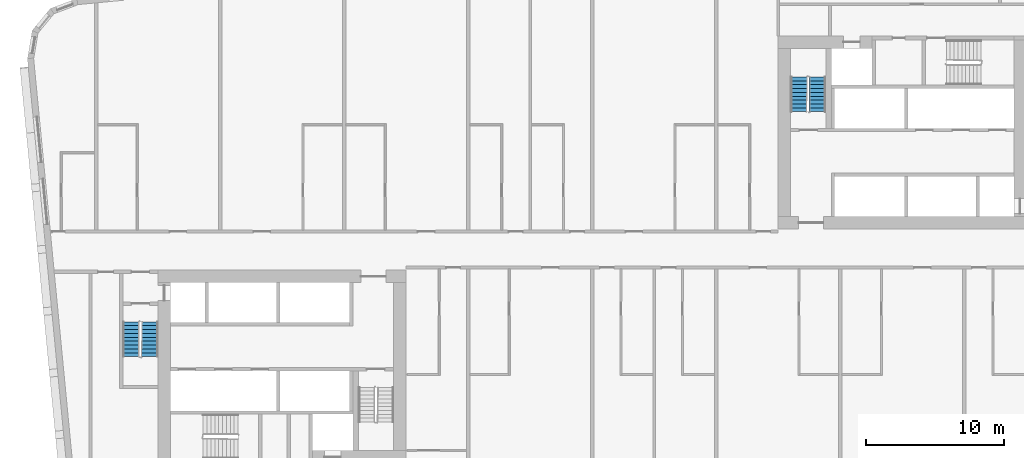
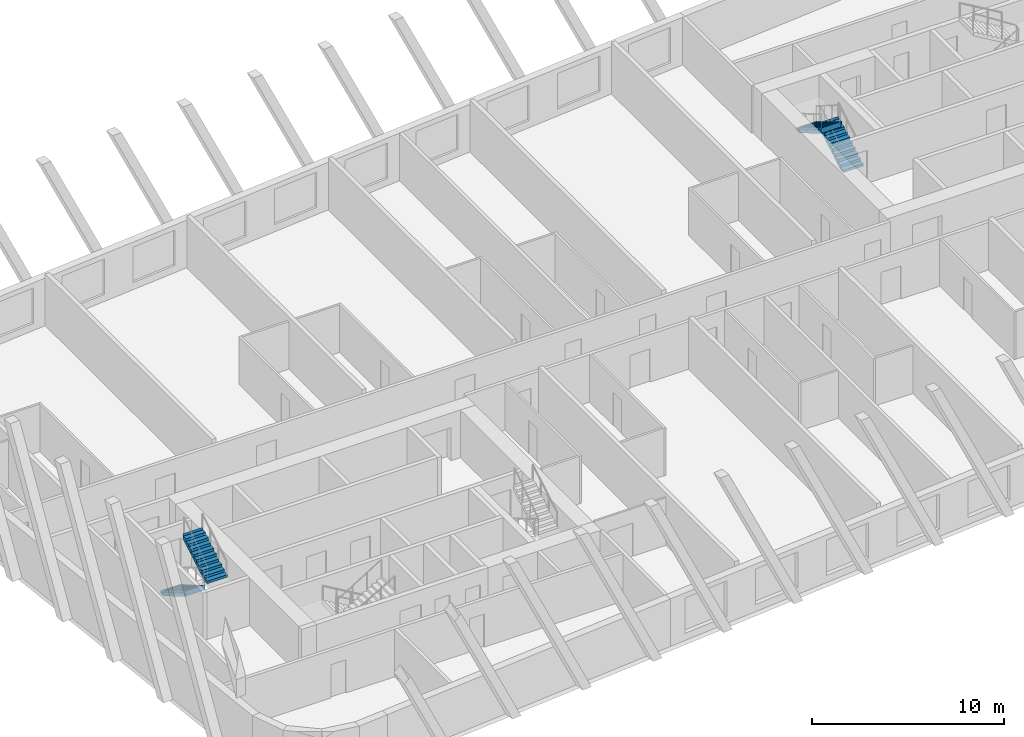
# One storey, part 10 of 13: 4 stair flights, 2 elements without a shape of their own.
"""IFC4 building model written with IfcOpenShell, lengths in metres."""

from ifc_helpers import new_model, si_unit, direction, frame, origin, place, context, subcontext, project, spatial, faceted_brep, material, type_object, element, aggregate, save


model = new_model("IFC4")

# Units and contexts
model_context = context("Model", 3, precision=1e-05, world=origin(), true_north=direction((0.0, 1.0)))
body_context = subcontext(model_context, "Body", "Model", "MODEL_VIEW")
ifc_project = project(units=[si_unit("LENGTHUNIT", "METRE"), si_unit("AREAUNIT", "SQUARE_METRE"), si_unit("VOLUMEUNIT", "CUBIC_METRE"), si_unit("PLANEANGLEUNIT", "RADIAN"), si_unit("MASSUNIT", "GRAM", prefix="KILO")], contexts=[model_context])

# Site, building, storey
site_placement = place(None, origin())
site = spatial("IfcSite", under=ifc_project, at=site_placement, CompositionType="ELEMENT")
building_placement = place(site_placement, origin())
building = spatial("IfcBuilding", under=site, at=building_placement, Name="Kajstack Hotel Tower", CompositionType="ELEMENT")
storey_placement = place(building_placement, frame((0.0, 0.0, 130.60009765625)))
storey = spatial("IfcBuildingStorey", under=building, at=storey_placement, Name="L29", CompositionType="ELEMENT", Elevation=130.60009765625)

# Stair, stair flights
ifc_material = material(Name="Concrete C40/50", Category="concrete")
stair_type = type_object("IfcStairType", Name="Exit stair 1200", PredefinedType="HALF_TURN_STAIR", material=ifc_material)
stair_1_placement = place(storey_placement, origin())
stair_1 = element("IfcStair", 1, at=stair_1_placement, inside=storey, type_object=stair_type, Name="L29 stair W1", PredefinedType="HALF_TURN_STAIR")
stair_flight_type = type_object("IfcStairFlightType", Name="Exit stair flight 1200", PredefinedType="STRAIGHT", material=ifc_material)
stair_flight_1_placement = place(storey_placement, frame((-33.449951171875, -5.25, 0.0), z_axis=(0.0, 0.0, 1.0), x_axis=(0.0, -1.0, 0.0)))
stair_flight_1 = element("IfcStairFlight", 2, at=stair_flight_1_placement, type_object=stair_flight_type, Name="W1 flight 1", NumberOfRisers=10, NumberOfTreads=9, PredefinedType="STRAIGHT", RiserHeight=0.165, TreadLength=0.28, context=body_context, shape_type="Brep", body=[
    faceted_brep([(0.295654296875, -0.60009765625, 0.0), (2.5205078125, -0.60009765625, 1.31103515625), (2.5205078125, -0.60009765625, 1.64990234375), (2.52001953125, -0.60009765625, 1.64990234375), (2.52001953125, -0.60009765625, 1.485107421875), (2.239990234375, -0.60009765625, 1.485107421875), (2.239990234375, -0.60009765625, 1.320068359375), (1.9599609375, -0.60009765625, 1.320068359375), (1.9599609375, -0.60009765625, 1.155029296875), (1.679931640625, -0.60009765625, 1.155029296875), (1.679931640625, -0.60009765625, 0.989990234375), (1.39990234375, -0.60009765625, 0.989990234375), (1.39990234375, -0.60009765625, 0.824951171875), (1.1201171875, -0.60009765625, 0.824951171875), (1.1201171875, -0.60009765625, 0.659912109375), (0.840087890625, -0.60009765625, 0.659912109375), (0.840087890625, -0.60009765625, 0.4951171875), (0.56005859375, -0.60009765625, 0.4951171875), (0.56005859375, -0.60009765625, 0.330078125), (0.280029296875, -0.60009765625, 0.330078125), (0.280029296875, -0.60009765625, 0.1650390625), (-0.00048828125, -0.60009765625, 0.1650390625), (-0.00048828125, -0.60009765625, 0.0), (-0.00048828125, 0.60009765625, 0.0), (-0.00048828125, 0.60009765625, 0.1650390625), (0.280029296875, 0.60009765625, 0.1650390625), (0.280029296875, 0.60009765625, 0.330078125), (0.56005859375, 0.60009765625, 0.330078125), (0.56005859375, 0.60009765625, 0.4951171875), (0.840087890625, 0.60009765625, 0.4951171875), (0.840087890625, 0.60009765625, 0.659912109375), (1.1201171875, 0.60009765625, 0.659912109375), (1.1201171875, 0.60009765625, 0.824951171875), (1.39990234375, 0.60009765625, 0.824951171875), (1.39990234375, 0.60009765625, 0.989990234375), (1.679931640625, 0.60009765625, 0.989990234375), (1.679931640625, 0.60009765625, 1.155029296875), (1.9599609375, 0.60009765625, 1.155029296875), (1.9599609375, 0.60009765625, 1.320068359375), (2.239990234375, 0.60009765625, 1.320068359375), (2.239990234375, 0.60009765625, 1.485107421875), (2.52001953125, 0.60009765625, 1.485107421875), (2.52001953125, 0.60009765625, 1.64990234375), (2.5205078125, 0.60009765625, 1.64990234375), (2.5205078125, 0.60009765625, 1.31103515625), (0.295654296875, 0.60009765625, 0.0), (-0.00048828125, -0.300048828125, 0.1650390625), (-0.00048828125, 0.0, 0.1650390625), (-0.00048828125, 0.300048828125, 0.1650390625), (-0.00048828125, 0.300048828125, 0.0), (-0.00048828125, 0.0, 0.0), (-0.00048828125, -0.300048828125, 0.0), (0.280029296875, -0.300048828125, 0.1650390625), (0.280029296875, 0.0, 0.1650390625), (0.280029296875, 0.300048828125, 0.1650390625), (0.280029296875, -0.300048828125, 0.330078125), (0.280029296875, 0.0, 0.330078125), (0.280029296875, 0.300048828125, 0.330078125), (0.56005859375, -0.300048828125, 0.330078125), (0.56005859375, 0.0, 0.330078125), (0.56005859375, 0.300048828125, 0.330078125), (0.56005859375, -0.300048828125, 0.4951171875), (0.56005859375, 0.0, 0.4951171875), (0.56005859375, 0.300048828125, 0.4951171875), (0.840087890625, -0.300048828125, 0.4951171875), (0.840087890625, 0.0, 0.4951171875), (0.840087890625, 0.300048828125, 0.4951171875), (0.840087890625, -0.300048828125, 0.659912109375), (0.840087890625, 0.0, 0.659912109375), (0.840087890625, 0.300048828125, 0.659912109375), (1.1201171875, -0.300048828125, 0.659912109375), (1.1201171875, 0.0, 0.659912109375), (1.1201171875, 0.300048828125, 0.659912109375), (1.1201171875, -0.300048828125, 0.824951171875), (1.1201171875, 0.0, 0.824951171875), (1.1201171875, 0.300048828125, 0.824951171875), (1.39990234375, -0.300048828125, 0.824951171875), (1.39990234375, 0.0, 0.824951171875), (1.39990234375, 0.300048828125, 0.824951171875), (1.39990234375, -0.300048828125, 0.989990234375), (1.39990234375, 0.0, 0.989990234375), (1.39990234375, 0.300048828125, 0.989990234375), (1.679931640625, -0.300048828125, 0.989990234375), (1.679931640625, 0.0, 0.989990234375), (1.679931640625, 0.300048828125, 0.989990234375), (1.679931640625, -0.300048828125, 1.155029296875), (1.679931640625, 0.0, 1.155029296875), (1.679931640625, 0.300048828125, 1.155029296875), (1.9599609375, -0.300048828125, 1.155029296875), (1.9599609375, 0.0, 1.155029296875), (1.9599609375, 0.300048828125, 1.155029296875), (1.9599609375, -0.300048828125, 1.320068359375), (1.9599609375, 0.0, 1.320068359375), (1.9599609375, 0.300048828125, 1.320068359375), (2.239990234375, -0.300048828125, 1.320068359375), (2.239990234375, 0.0, 1.320068359375), (2.239990234375, 0.300048828125, 1.320068359375), (2.239990234375, -0.300048828125, 1.485107421875), (2.239990234375, 0.0, 1.485107421875), (2.239990234375, 0.300048828125, 1.485107421875), (2.52001953125, -0.300048828125, 1.485107421875), (2.52001953125, 0.0, 1.485107421875), (2.52001953125, 0.300048828125, 1.485107421875), (2.52001953125, -0.300048828125, 1.64990234375), (2.52001953125, 0.0, 1.64990234375), (2.52001953125, 0.300048828125, 1.64990234375), (2.5205078125, -0.300048828125, 1.64990234375), (2.5205078125, 0.0, 1.64990234375), (2.5205078125, 0.300048828125, 1.64990234375), (2.5205078125, -0.300048828125, 1.31103515625), (2.5205078125, 0.0, 1.31103515625), (2.5205078125, 0.300048828125, 1.31103515625), (0.295654296875, -0.300048828125, 0.0), (0.295654296875, 0.0, 0.0), (0.295654296875, 0.300048828125, 0.0)], [[[0, 1, 2, 3, 4, 5, 6, 7, 8, 9, 10, 11, 12, 13, 14, 15, 16, 17, 18, 19, 20, 21, 22]], [[23, 24, 25, 26, 27, 28, 29, 30, 31, 32, 33, 34, 35, 36, 37, 38, 39, 40, 41, 42, 43, 44, 45]], [[21, 46, 47, 48, 24, 23, 49, 50, 51, 22]], [[20, 52, 53, 54, 25, 24, 48, 47, 46, 21]], [[19, 55, 56, 57, 26, 25, 54, 53, 52, 20]], [[18, 58, 59, 60, 27, 26, 57, 56, 55, 19]], [[17, 61, 62, 63, 28, 27, 60, 59, 58, 18]], [[16, 64, 65, 66, 29, 28, 63, 62, 61, 17]], [[15, 67, 68, 69, 30, 29, 66, 65, 64, 16]], [[14, 70, 71, 72, 31, 30, 69, 68, 67, 15]], [[13, 73, 74, 75, 32, 31, 72, 71, 70, 14]], [[12, 76, 77, 78, 33, 32, 75, 74, 73, 13]], [[11, 79, 80, 81, 34, 33, 78, 77, 76, 12]], [[10, 82, 83, 84, 35, 34, 81, 80, 79, 11]], [[9, 85, 86, 87, 36, 35, 84, 83, 82, 10]], [[8, 88, 89, 90, 37, 36, 87, 86, 85, 9]], [[7, 91, 92, 93, 38, 37, 90, 89, 88, 8]], [[6, 94, 95, 96, 39, 38, 93, 92, 91, 7]], [[5, 97, 98, 99, 40, 39, 96, 95, 94, 6]], [[4, 100, 101, 102, 41, 40, 99, 98, 97, 5]], [[3, 103, 104, 105, 42, 41, 102, 101, 100, 4]], [[2, 106, 107, 108, 43, 42, 105, 104, 103, 3]], [[1, 109, 110, 111, 44, 43, 108, 107, 106, 2]], [[0, 112, 113, 114, 45, 44, 111, 110, 109, 1]], [[22, 51, 50, 49, 23, 45, 114, 113, 112, 0]]]),
])
stair_flight_2_placement = place(storey_placement, frame((-32.10009765625, -7.77001953125, 1.64990234375), z_axis=(0.0, 0.0, 1.0), x_axis=(0.0, 1.0, 0.0)))
stair_flight_2 = element("IfcStairFlight", 3, at=stair_flight_2_placement, type_object=stair_flight_type, Name="W1 flight 2", NumberOfRisers=10, NumberOfTreads=9, PredefinedType="STRAIGHT", RiserHeight=0.165, TreadLength=0.28, context=body_context, shape_type="Brep", body=[
    faceted_brep([(0.295654296875, -0.60009765625, 0.0), (2.5205078125, -0.60009765625, 1.31103515625), (2.5205078125, -0.60009765625, 1.64990234375), (2.52001953125, -0.60009765625, 1.64990234375), (2.52001953125, -0.60009765625, 1.485107421875), (2.239990234375, -0.60009765625, 1.485107421875), (2.239990234375, -0.60009765625, 1.320068359375), (1.9599609375, -0.60009765625, 1.320068359375), (1.9599609375, -0.60009765625, 1.155029296875), (1.679931640625, -0.60009765625, 1.155029296875), (1.679931640625, -0.60009765625, 0.989990234375), (1.39990234375, -0.60009765625, 0.989990234375), (1.39990234375, -0.60009765625, 0.824951171875), (1.1201171875, -0.60009765625, 0.824951171875), (1.1201171875, -0.60009765625, 0.659912109375), (0.840087890625, -0.60009765625, 0.659912109375), (0.840087890625, -0.60009765625, 0.4951171875), (0.56005859375, -0.60009765625, 0.4951171875), (0.56005859375, -0.60009765625, 0.330078125), (0.280029296875, -0.60009765625, 0.330078125), (0.280029296875, -0.60009765625, 0.1650390625), (-0.00048828125, -0.60009765625, 0.1650390625), (-0.00048828125, -0.60009765625, 0.0), (-0.00048828125, 0.60009765625, 0.0), (-0.00048828125, 0.60009765625, 0.1650390625), (0.280029296875, 0.60009765625, 0.1650390625), (0.280029296875, 0.60009765625, 0.330078125), (0.56005859375, 0.60009765625, 0.330078125), (0.56005859375, 0.60009765625, 0.4951171875), (0.840087890625, 0.60009765625, 0.4951171875), (0.840087890625, 0.60009765625, 0.659912109375), (1.1201171875, 0.60009765625, 0.659912109375), (1.1201171875, 0.60009765625, 0.824951171875), (1.39990234375, 0.60009765625, 0.824951171875), (1.39990234375, 0.60009765625, 0.989990234375), (1.679931640625, 0.60009765625, 0.989990234375), (1.679931640625, 0.60009765625, 1.155029296875), (1.9599609375, 0.60009765625, 1.155029296875), (1.9599609375, 0.60009765625, 1.320068359375), (2.239990234375, 0.60009765625, 1.320068359375), (2.239990234375, 0.60009765625, 1.485107421875), (2.52001953125, 0.60009765625, 1.485107421875), (2.52001953125, 0.60009765625, 1.64990234375), (2.5205078125, 0.60009765625, 1.64990234375), (2.5205078125, 0.60009765625, 1.31103515625), (0.295654296875, 0.60009765625, 0.0), (-0.00048828125, -0.300048828125, 0.1650390625), (-0.00048828125, 0.0, 0.1650390625), (-0.00048828125, 0.300048828125, 0.1650390625), (-0.00048828125, 0.300048828125, 0.0), (-0.00048828125, 0.0, 0.0), (-0.00048828125, -0.300048828125, 0.0), (0.280029296875, -0.300048828125, 0.1650390625), (0.280029296875, 0.0, 0.1650390625), (0.280029296875, 0.300048828125, 0.1650390625), (0.280029296875, -0.300048828125, 0.330078125), (0.280029296875, 0.0, 0.330078125), (0.280029296875, 0.300048828125, 0.330078125), (0.56005859375, -0.300048828125, 0.330078125), (0.56005859375, 0.0, 0.330078125), (0.56005859375, 0.300048828125, 0.330078125), (0.56005859375, -0.300048828125, 0.4951171875), (0.56005859375, 0.0, 0.4951171875), (0.56005859375, 0.300048828125, 0.4951171875), (0.840087890625, -0.300048828125, 0.4951171875), (0.840087890625, 0.0, 0.4951171875), (0.840087890625, 0.300048828125, 0.4951171875), (0.840087890625, -0.300048828125, 0.659912109375), (0.840087890625, 0.0, 0.659912109375), (0.840087890625, 0.300048828125, 0.659912109375), (1.1201171875, -0.300048828125, 0.659912109375), (1.1201171875, 0.0, 0.659912109375), (1.1201171875, 0.300048828125, 0.659912109375), (1.1201171875, -0.300048828125, 0.824951171875), (1.1201171875, 0.0, 0.824951171875), (1.1201171875, 0.300048828125, 0.824951171875), (1.39990234375, -0.300048828125, 0.824951171875), (1.39990234375, 0.0, 0.824951171875), (1.39990234375, 0.300048828125, 0.824951171875), (1.39990234375, -0.300048828125, 0.989990234375), (1.39990234375, 0.0, 0.989990234375), (1.39990234375, 0.300048828125, 0.989990234375), (1.679931640625, -0.300048828125, 0.989990234375), (1.679931640625, 0.0, 0.989990234375), (1.679931640625, 0.300048828125, 0.989990234375), (1.679931640625, -0.300048828125, 1.155029296875), (1.679931640625, 0.0, 1.155029296875), (1.679931640625, 0.300048828125, 1.155029296875), (1.9599609375, -0.300048828125, 1.155029296875), (1.9599609375, 0.0, 1.155029296875), (1.9599609375, 0.300048828125, 1.155029296875), (1.9599609375, -0.300048828125, 1.320068359375), (1.9599609375, 0.0, 1.320068359375), (1.9599609375, 0.300048828125, 1.320068359375), (2.239990234375, -0.300048828125, 1.320068359375), (2.239990234375, 0.0, 1.320068359375), (2.239990234375, 0.300048828125, 1.320068359375), (2.239990234375, -0.300048828125, 1.485107421875), (2.239990234375, 0.0, 1.485107421875), (2.239990234375, 0.300048828125, 1.485107421875), (2.52001953125, -0.300048828125, 1.485107421875), (2.52001953125, 0.0, 1.485107421875), (2.52001953125, 0.300048828125, 1.485107421875), (2.52001953125, -0.300048828125, 1.64990234375), (2.52001953125, 0.0, 1.64990234375), (2.52001953125, 0.300048828125, 1.64990234375), (2.5205078125, -0.300048828125, 1.64990234375), (2.5205078125, 0.0, 1.64990234375), (2.5205078125, 0.300048828125, 1.64990234375), (2.5205078125, -0.300048828125, 1.31103515625), (2.5205078125, 0.0, 1.31103515625), (2.5205078125, 0.300048828125, 1.31103515625), (0.295654296875, -0.300048828125, 0.0), (0.295654296875, 0.0, 0.0), (0.295654296875, 0.300048828125, 0.0)], [[[0, 1, 2, 3, 4, 5, 6, 7, 8, 9, 10, 11, 12, 13, 14, 15, 16, 17, 18, 19, 20, 21, 22]], [[23, 24, 25, 26, 27, 28, 29, 30, 31, 32, 33, 34, 35, 36, 37, 38, 39, 40, 41, 42, 43, 44, 45]], [[21, 46, 47, 48, 24, 23, 49, 50, 51, 22]], [[20, 52, 53, 54, 25, 24, 48, 47, 46, 21]], [[19, 55, 56, 57, 26, 25, 54, 53, 52, 20]], [[18, 58, 59, 60, 27, 26, 57, 56, 55, 19]], [[17, 61, 62, 63, 28, 27, 60, 59, 58, 18]], [[16, 64, 65, 66, 29, 28, 63, 62, 61, 17]], [[15, 67, 68, 69, 30, 29, 66, 65, 64, 16]], [[14, 70, 71, 72, 31, 30, 69, 68, 67, 15]], [[13, 73, 74, 75, 32, 31, 72, 71, 70, 14]], [[12, 76, 77, 78, 33, 32, 75, 74, 73, 13]], [[11, 79, 80, 81, 34, 33, 78, 77, 76, 12]], [[10, 82, 83, 84, 35, 34, 81, 80, 79, 11]], [[9, 85, 86, 87, 36, 35, 84, 83, 82, 10]], [[8, 88, 89, 90, 37, 36, 87, 86, 85, 9]], [[7, 91, 92, 93, 38, 37, 90, 89, 88, 8]], [[6, 94, 95, 96, 39, 38, 93, 92, 91, 7]], [[5, 97, 98, 99, 40, 39, 96, 95, 94, 6]], [[4, 100, 101, 102, 41, 40, 99, 98, 97, 5]], [[3, 103, 104, 105, 42, 41, 102, 101, 100, 4]], [[2, 106, 107, 108, 43, 42, 105, 104, 103, 3]], [[1, 109, 110, 111, 44, 43, 108, 107, 106, 2]], [[0, 112, 113, 114, 45, 44, 111, 110, 109, 1]], [[22, 51, 50, 49, 23, 45, 114, 113, 112, 0]]]),
])
aggregate(stair_1, [stair_flight_1, stair_flight_2])

stair_2_placement = place(storey_placement, origin())
stair_2 = element("IfcStair", 4, at=stair_2_placement, inside=storey, type_object=stair_type, Name="L29 stair E2", PredefinedType="HALF_TURN_STAIR")
stair_flight_3_placement = place(storey_placement, frame((16.35009765625, 10.0, 0.0), z_axis=(0.0, 0.0, 1.0), x_axis=(0.0, 1.0, 0.0)))
stair_flight_3 = element("IfcStairFlight", 5, at=stair_flight_3_placement, type_object=stair_flight_type, Name="E2 flight 1", NumberOfRisers=10, NumberOfTreads=9, PredefinedType="STRAIGHT", RiserHeight=0.165, TreadLength=0.28, context=body_context, shape_type="Brep", body=[
    faceted_brep([(0.295654296875, -0.60009765625, 0.0), (2.5205078125, -0.60009765625, 1.31103515625), (2.5205078125, -0.60009765625, 1.64990234375), (2.52001953125, -0.60009765625, 1.64990234375), (2.52001953125, -0.60009765625, 1.485107421875), (2.239990234375, -0.60009765625, 1.485107421875), (2.239990234375, -0.60009765625, 1.320068359375), (1.9599609375, -0.60009765625, 1.320068359375), (1.9599609375, -0.60009765625, 1.155029296875), (1.679931640625, -0.60009765625, 1.155029296875), (1.679931640625, -0.60009765625, 0.989990234375), (1.39990234375, -0.60009765625, 0.989990234375), (1.39990234375, -0.60009765625, 0.824951171875), (1.1201171875, -0.60009765625, 0.824951171875), (1.1201171875, -0.60009765625, 0.659912109375), (0.840087890625, -0.60009765625, 0.659912109375), (0.840087890625, -0.60009765625, 0.4951171875), (0.56005859375, -0.60009765625, 0.4951171875), (0.56005859375, -0.60009765625, 0.330078125), (0.280029296875, -0.60009765625, 0.330078125), (0.280029296875, -0.60009765625, 0.1650390625), (-0.00048828125, -0.60009765625, 0.1650390625), (-0.00048828125, -0.60009765625, 0.0), (-0.00048828125, 0.60009765625, 0.0), (-0.00048828125, 0.60009765625, 0.1650390625), (0.280029296875, 0.60009765625, 0.1650390625), (0.280029296875, 0.60009765625, 0.330078125), (0.56005859375, 0.60009765625, 0.330078125), (0.56005859375, 0.60009765625, 0.4951171875), (0.840087890625, 0.60009765625, 0.4951171875), (0.840087890625, 0.60009765625, 0.659912109375), (1.1201171875, 0.60009765625, 0.659912109375), (1.1201171875, 0.60009765625, 0.824951171875), (1.39990234375, 0.60009765625, 0.824951171875), (1.39990234375, 0.60009765625, 0.989990234375), (1.679931640625, 0.60009765625, 0.989990234375), (1.679931640625, 0.60009765625, 1.155029296875), (1.9599609375, 0.60009765625, 1.155029296875), (1.9599609375, 0.60009765625, 1.320068359375), (2.239990234375, 0.60009765625, 1.320068359375), (2.239990234375, 0.60009765625, 1.485107421875), (2.52001953125, 0.60009765625, 1.485107421875), (2.52001953125, 0.60009765625, 1.64990234375), (2.5205078125, 0.60009765625, 1.64990234375), (2.5205078125, 0.60009765625, 1.31103515625), (0.295654296875, 0.60009765625, 0.0), (-0.00048828125, -0.300048828125, 0.1650390625), (-0.00048828125, 0.0, 0.1650390625), (-0.00048828125, 0.300048828125, 0.1650390625), (-0.00048828125, 0.300048828125, 0.0), (-0.00048828125, 0.0, 0.0), (-0.00048828125, -0.300048828125, 0.0), (0.280029296875, -0.300048828125, 0.1650390625), (0.280029296875, 0.0, 0.1650390625), (0.280029296875, 0.300048828125, 0.1650390625), (0.280029296875, -0.300048828125, 0.330078125), (0.280029296875, 0.0, 0.330078125), (0.280029296875, 0.300048828125, 0.330078125), (0.56005859375, -0.300048828125, 0.330078125), (0.56005859375, 0.0, 0.330078125), (0.56005859375, 0.300048828125, 0.330078125), (0.56005859375, -0.300048828125, 0.4951171875), (0.56005859375, 0.0, 0.4951171875), (0.56005859375, 0.300048828125, 0.4951171875), (0.840087890625, -0.300048828125, 0.4951171875), (0.840087890625, 0.0, 0.4951171875), (0.840087890625, 0.300048828125, 0.4951171875), (0.840087890625, -0.300048828125, 0.659912109375), (0.840087890625, 0.0, 0.659912109375), (0.840087890625, 0.300048828125, 0.659912109375), (1.1201171875, -0.300048828125, 0.659912109375), (1.1201171875, 0.0, 0.659912109375), (1.1201171875, 0.300048828125, 0.659912109375), (1.1201171875, -0.300048828125, 0.824951171875), (1.1201171875, 0.0, 0.824951171875), (1.1201171875, 0.300048828125, 0.824951171875), (1.39990234375, -0.300048828125, 0.824951171875), (1.39990234375, 0.0, 0.824951171875), (1.39990234375, 0.300048828125, 0.824951171875), (1.39990234375, -0.300048828125, 0.989990234375), (1.39990234375, 0.0, 0.989990234375), (1.39990234375, 0.300048828125, 0.989990234375), (1.679931640625, -0.300048828125, 0.989990234375), (1.679931640625, 0.0, 0.989990234375), (1.679931640625, 0.300048828125, 0.989990234375), (1.679931640625, -0.300048828125, 1.155029296875), (1.679931640625, 0.0, 1.155029296875), (1.679931640625, 0.300048828125, 1.155029296875), (1.9599609375, -0.300048828125, 1.155029296875), (1.9599609375, 0.0, 1.155029296875), (1.9599609375, 0.300048828125, 1.155029296875), (1.9599609375, -0.300048828125, 1.320068359375), (1.9599609375, 0.0, 1.320068359375), (1.9599609375, 0.300048828125, 1.320068359375), (2.239990234375, -0.300048828125, 1.320068359375), (2.239990234375, 0.0, 1.320068359375), (2.239990234375, 0.300048828125, 1.320068359375), (2.239990234375, -0.300048828125, 1.485107421875), (2.239990234375, 0.0, 1.485107421875), (2.239990234375, 0.300048828125, 1.485107421875), (2.52001953125, -0.300048828125, 1.485107421875), (2.52001953125, 0.0, 1.485107421875), (2.52001953125, 0.300048828125, 1.485107421875), (2.52001953125, -0.300048828125, 1.64990234375), (2.52001953125, 0.0, 1.64990234375), (2.52001953125, 0.300048828125, 1.64990234375), (2.5205078125, -0.300048828125, 1.64990234375), (2.5205078125, 0.0, 1.64990234375), (2.5205078125, 0.300048828125, 1.64990234375), (2.5205078125, -0.300048828125, 1.31103515625), (2.5205078125, 0.0, 1.31103515625), (2.5205078125, 0.300048828125, 1.31103515625), (0.295654296875, -0.300048828125, 0.0), (0.295654296875, 0.0, 0.0), (0.295654296875, 0.300048828125, 0.0)], [[[0, 1, 2, 3, 4, 5, 6, 7, 8, 9, 10, 11, 12, 13, 14, 15, 16, 17, 18, 19, 20, 21, 22]], [[23, 24, 25, 26, 27, 28, 29, 30, 31, 32, 33, 34, 35, 36, 37, 38, 39, 40, 41, 42, 43, 44, 45]], [[21, 46, 47, 48, 24, 23, 49, 50, 51, 22]], [[20, 52, 53, 54, 25, 24, 48, 47, 46, 21]], [[19, 55, 56, 57, 26, 25, 54, 53, 52, 20]], [[18, 58, 59, 60, 27, 26, 57, 56, 55, 19]], [[17, 61, 62, 63, 28, 27, 60, 59, 58, 18]], [[16, 64, 65, 66, 29, 28, 63, 62, 61, 17]], [[15, 67, 68, 69, 30, 29, 66, 65, 64, 16]], [[14, 70, 71, 72, 31, 30, 69, 68, 67, 15]], [[13, 73, 74, 75, 32, 31, 72, 71, 70, 14]], [[12, 76, 77, 78, 33, 32, 75, 74, 73, 13]], [[11, 79, 80, 81, 34, 33, 78, 77, 76, 12]], [[10, 82, 83, 84, 35, 34, 81, 80, 79, 11]], [[9, 85, 86, 87, 36, 35, 84, 83, 82, 10]], [[8, 88, 89, 90, 37, 36, 87, 86, 85, 9]], [[7, 91, 92, 93, 38, 37, 90, 89, 88, 8]], [[6, 94, 95, 96, 39, 38, 93, 92, 91, 7]], [[5, 97, 98, 99, 40, 39, 96, 95, 94, 6]], [[4, 100, 101, 102, 41, 40, 99, 98, 97, 5]], [[3, 103, 104, 105, 42, 41, 102, 101, 100, 4]], [[2, 106, 107, 108, 43, 42, 105, 104, 103, 3]], [[1, 109, 110, 111, 44, 43, 108, 107, 106, 2]], [[0, 112, 113, 114, 45, 44, 111, 110, 109, 1]], [[22, 51, 50, 49, 23, 45, 114, 113, 112, 0]]]),
])
stair_flight_4_placement = place(storey_placement, frame((15.0, 12.52001953125, 1.64990234375), z_axis=(0.0, 0.0, 1.0), x_axis=(0.0, -1.0, 0.0)))
stair_flight_4 = element("IfcStairFlight", 6, at=stair_flight_4_placement, type_object=stair_flight_type, Name="E2 flight 2", NumberOfRisers=10, NumberOfTreads=9, PredefinedType="STRAIGHT", RiserHeight=0.165, TreadLength=0.28, context=body_context, shape_type="Brep", body=[
    faceted_brep([(0.295654296875, -0.60009765625, 0.0), (2.5205078125, -0.60009765625, 1.31103515625), (2.5205078125, -0.60009765625, 1.64990234375), (2.52001953125, -0.60009765625, 1.64990234375), (2.52001953125, -0.60009765625, 1.485107421875), (2.239990234375, -0.60009765625, 1.485107421875), (2.239990234375, -0.60009765625, 1.320068359375), (1.9599609375, -0.60009765625, 1.320068359375), (1.9599609375, -0.60009765625, 1.155029296875), (1.679931640625, -0.60009765625, 1.155029296875), (1.679931640625, -0.60009765625, 0.989990234375), (1.39990234375, -0.60009765625, 0.989990234375), (1.39990234375, -0.60009765625, 0.824951171875), (1.1201171875, -0.60009765625, 0.824951171875), (1.1201171875, -0.60009765625, 0.659912109375), (0.840087890625, -0.60009765625, 0.659912109375), (0.840087890625, -0.60009765625, 0.4951171875), (0.56005859375, -0.60009765625, 0.4951171875), (0.56005859375, -0.60009765625, 0.330078125), (0.280029296875, -0.60009765625, 0.330078125), (0.280029296875, -0.60009765625, 0.1650390625), (-0.00048828125, -0.60009765625, 0.1650390625), (-0.00048828125, -0.60009765625, 0.0), (-0.00048828125, 0.60009765625, 0.0), (-0.00048828125, 0.60009765625, 0.1650390625), (0.280029296875, 0.60009765625, 0.1650390625), (0.280029296875, 0.60009765625, 0.330078125), (0.56005859375, 0.60009765625, 0.330078125), (0.56005859375, 0.60009765625, 0.4951171875), (0.840087890625, 0.60009765625, 0.4951171875), (0.840087890625, 0.60009765625, 0.659912109375), (1.1201171875, 0.60009765625, 0.659912109375), (1.1201171875, 0.60009765625, 0.824951171875), (1.39990234375, 0.60009765625, 0.824951171875), (1.39990234375, 0.60009765625, 0.989990234375), (1.679931640625, 0.60009765625, 0.989990234375), (1.679931640625, 0.60009765625, 1.155029296875), (1.9599609375, 0.60009765625, 1.155029296875), (1.9599609375, 0.60009765625, 1.320068359375), (2.239990234375, 0.60009765625, 1.320068359375), (2.239990234375, 0.60009765625, 1.485107421875), (2.52001953125, 0.60009765625, 1.485107421875), (2.52001953125, 0.60009765625, 1.64990234375), (2.5205078125, 0.60009765625, 1.64990234375), (2.5205078125, 0.60009765625, 1.31103515625), (0.295654296875, 0.60009765625, 0.0), (-0.00048828125, -0.300048828125, 0.1650390625), (-0.00048828125, 0.0, 0.1650390625), (-0.00048828125, 0.300048828125, 0.1650390625), (-0.00048828125, 0.300048828125, 0.0), (-0.00048828125, 0.0, 0.0), (-0.00048828125, -0.300048828125, 0.0), (0.280029296875, -0.300048828125, 0.1650390625), (0.280029296875, 0.0, 0.1650390625), (0.280029296875, 0.300048828125, 0.1650390625), (0.280029296875, -0.300048828125, 0.330078125), (0.280029296875, 0.0, 0.330078125), (0.280029296875, 0.300048828125, 0.330078125), (0.56005859375, -0.300048828125, 0.330078125), (0.56005859375, 0.0, 0.330078125), (0.56005859375, 0.300048828125, 0.330078125), (0.56005859375, -0.300048828125, 0.4951171875), (0.56005859375, 0.0, 0.4951171875), (0.56005859375, 0.300048828125, 0.4951171875), (0.840087890625, -0.300048828125, 0.4951171875), (0.840087890625, 0.0, 0.4951171875), (0.840087890625, 0.300048828125, 0.4951171875), (0.840087890625, -0.300048828125, 0.659912109375), (0.840087890625, 0.0, 0.659912109375), (0.840087890625, 0.300048828125, 0.659912109375), (1.1201171875, -0.300048828125, 0.659912109375), (1.1201171875, 0.0, 0.659912109375), (1.1201171875, 0.300048828125, 0.659912109375), (1.1201171875, -0.300048828125, 0.824951171875), (1.1201171875, 0.0, 0.824951171875), (1.1201171875, 0.300048828125, 0.824951171875), (1.39990234375, -0.300048828125, 0.824951171875), (1.39990234375, 0.0, 0.824951171875), (1.39990234375, 0.300048828125, 0.824951171875), (1.39990234375, -0.300048828125, 0.989990234375), (1.39990234375, 0.0, 0.989990234375), (1.39990234375, 0.300048828125, 0.989990234375), (1.679931640625, -0.300048828125, 0.989990234375), (1.679931640625, 0.0, 0.989990234375), (1.679931640625, 0.300048828125, 0.989990234375), (1.679931640625, -0.300048828125, 1.155029296875), (1.679931640625, 0.0, 1.155029296875), (1.679931640625, 0.300048828125, 1.155029296875), (1.9599609375, -0.300048828125, 1.155029296875), (1.9599609375, 0.0, 1.155029296875), (1.9599609375, 0.300048828125, 1.155029296875), (1.9599609375, -0.300048828125, 1.320068359375), (1.9599609375, 0.0, 1.320068359375), (1.9599609375, 0.300048828125, 1.320068359375), (2.239990234375, -0.300048828125, 1.320068359375), (2.239990234375, 0.0, 1.320068359375), (2.239990234375, 0.300048828125, 1.320068359375), (2.239990234375, -0.300048828125, 1.485107421875), (2.239990234375, 0.0, 1.485107421875), (2.239990234375, 0.300048828125, 1.485107421875), (2.52001953125, -0.300048828125, 1.485107421875), (2.52001953125, 0.0, 1.485107421875), (2.52001953125, 0.300048828125, 1.485107421875), (2.52001953125, -0.300048828125, 1.64990234375), (2.52001953125, 0.0, 1.64990234375), (2.52001953125, 0.300048828125, 1.64990234375), (2.5205078125, -0.300048828125, 1.64990234375), (2.5205078125, 0.0, 1.64990234375), (2.5205078125, 0.300048828125, 1.64990234375), (2.5205078125, -0.300048828125, 1.31103515625), (2.5205078125, 0.0, 1.31103515625), (2.5205078125, 0.300048828125, 1.31103515625), (0.295654296875, -0.300048828125, 0.0), (0.295654296875, 0.0, 0.0), (0.295654296875, 0.300048828125, 0.0)], [[[0, 1, 2, 3, 4, 5, 6, 7, 8, 9, 10, 11, 12, 13, 14, 15, 16, 17, 18, 19, 20, 21, 22]], [[23, 24, 25, 26, 27, 28, 29, 30, 31, 32, 33, 34, 35, 36, 37, 38, 39, 40, 41, 42, 43, 44, 45]], [[21, 46, 47, 48, 24, 23, 49, 50, 51, 22]], [[20, 52, 53, 54, 25, 24, 48, 47, 46, 21]], [[19, 55, 56, 57, 26, 25, 54, 53, 52, 20]], [[18, 58, 59, 60, 27, 26, 57, 56, 55, 19]], [[17, 61, 62, 63, 28, 27, 60, 59, 58, 18]], [[16, 64, 65, 66, 29, 28, 63, 62, 61, 17]], [[15, 67, 68, 69, 30, 29, 66, 65, 64, 16]], [[14, 70, 71, 72, 31, 30, 69, 68, 67, 15]], [[13, 73, 74, 75, 32, 31, 72, 71, 70, 14]], [[12, 76, 77, 78, 33, 32, 75, 74, 73, 13]], [[11, 79, 80, 81, 34, 33, 78, 77, 76, 12]], [[10, 82, 83, 84, 35, 34, 81, 80, 79, 11]], [[9, 85, 86, 87, 36, 35, 84, 83, 82, 10]], [[8, 88, 89, 90, 37, 36, 87, 86, 85, 9]], [[7, 91, 92, 93, 38, 37, 90, 89, 88, 8]], [[6, 94, 95, 96, 39, 38, 93, 92, 91, 7]], [[5, 97, 98, 99, 40, 39, 96, 95, 94, 6]], [[4, 100, 101, 102, 41, 40, 99, 98, 97, 5]], [[3, 103, 104, 105, 42, 41, 102, 101, 100, 4]], [[2, 106, 107, 108, 43, 42, 105, 104, 103, 3]], [[1, 109, 110, 111, 44, 43, 108, 107, 106, 2]], [[0, 112, 113, 114, 45, 44, 111, 110, 109, 1]], [[22, 51, 50, 49, 23, 45, 114, 113, 112, 0]]]),
])
aggregate(stair_2, [stair_flight_3, stair_flight_4])

save(model, "model.ifc")
